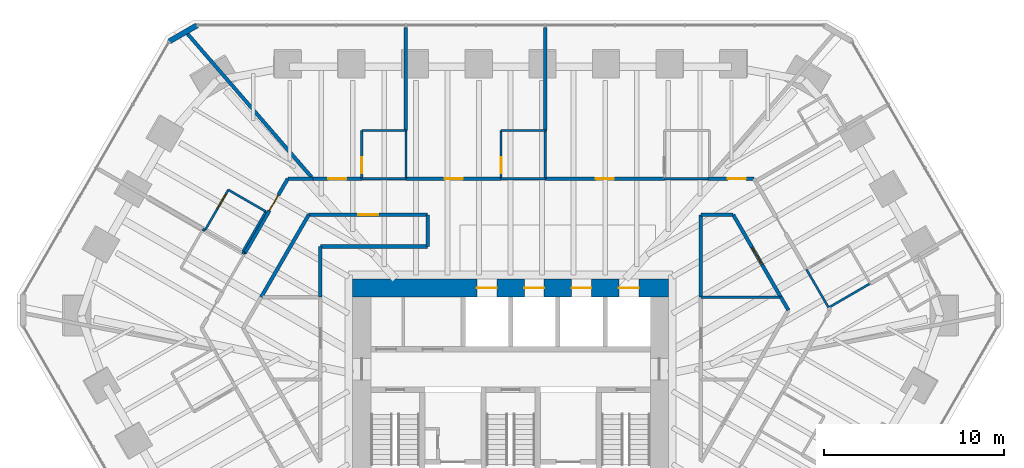
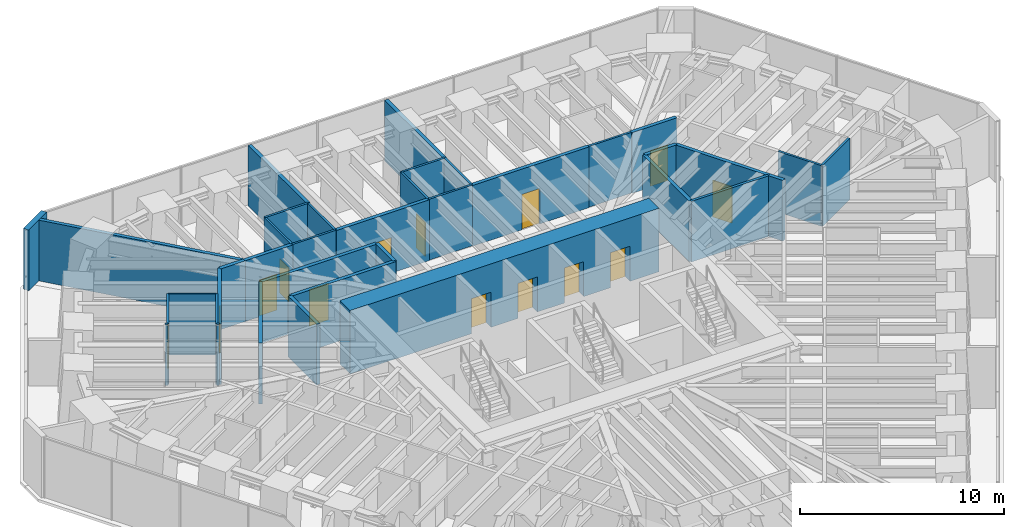
# One storey, part 14 of 16: 37 walls, 14 doors, 14 openings.
"""IFC4 building model written with IfcOpenShell, lengths in metres."""

from ifc_helpers import new_model, si_unit, direction, frame, frame_2d, origin, place, context, subcontext, project, spatial, rectangle, extrude, material, layer, layer_set, type_object, element, fill, save


model = new_model("IFC4")

# Units and contexts
model_context = context("Model", 3, precision=1e-05, world=origin(), true_north=direction((0.0, 1.0)))
body_context = subcontext(model_context, "Body", "Model", "MODEL_VIEW")
ifc_project = project(units=[si_unit("LENGTHUNIT", "METRE"), si_unit("AREAUNIT", "SQUARE_METRE"), si_unit("VOLUMEUNIT", "CUBIC_METRE"), si_unit("PLANEANGLEUNIT", "RADIAN"), si_unit("MASSUNIT", "GRAM", prefix="KILO")], contexts=[model_context])

# Site, building, storey
site_placement = place(None, origin())
site = spatial("IfcSite", under=ifc_project, at=site_placement, CompositionType="ELEMENT")
building_placement = place(site_placement, origin())
building = spatial("IfcBuilding", under=site, at=building_placement, Name="Sandreach Pilgrim Tower", CompositionType="ELEMENT")
storey_placement = place(building_placement, frame((0.0, 0.0, 247.800048828125)))
storey = spatial("IfcBuildingStorey", under=building, at=storey_placement, Name="L62", CompositionType="ELEMENT", Elevation=247.800048828125)

# Walls
ifc_material_1 = material(Name="Gypsum board on steel studs", Category="steel")
ifc_layer_1 = layer(ifc_material_1, 0.14990234375)
ifc_layer_set_1 = layer_set([ifc_layer_1], Name="Back of house wall 150")
wall_type_1 = type_object("IfcWallType", Name="Back of house wall 150", PredefinedType="PARTITIONING", material=ifc_layer_set_1)
wall_1_placement = place(storey_placement, frame((14.93505859375, 6.090087890625, 0.0), z_axis=(0.0, 0.0, 1.0), x_axis=(-1.0, 0.0, 0.0)))
element("IfcWall", 1, at=wall_1_placement, inside=storey, type_object=wall_type_1, Name="Back of house wall L62-119", PredefinedType="PARTITIONING", context=body_context, shape_type="SweptSolid", body=[
    extrude(rectangle(XDim=4.385009765625, YDim=0.14990234375, at=frame_2d((2.1923828125, 0.0))), origin(), (0.0, 0.0, 1.0), 3.639892578125),
])
ifc_material_2 = material(Name="Moisture-resistant gypsum board on steel studs", Category="steel")
ifc_layer_2 = layer(ifc_material_2, 0.1201171875)
ifc_layer_set_2 = layer_set([ifc_layer_2], Name="Bathroom partition 120")
wall_type_2 = type_object("IfcWallType", Name="Bathroom partition 120", PredefinedType="PARTITIONING", material=ifc_layer_set_2)
wall_2_placement = place(storey_placement, frame((-17.06005859375, 9.85009765625, 0.0), z_axis=(0.0, 0.0, 1.0), x_axis=(0.864625231999, -0.50241736454, 0.0)))
element("IfcWall", 2, at=wall_2_placement, inside=storey, type_object=wall_type_2, Name="Bathroom partition L62-010", PredefinedType="PARTITIONING", context=body_context, shape_type="SweptSolid", body=[
    extrude(rectangle(XDim=0.12548828125, YDim=0.1201171875, at=frame_2d((0.062744140625, 0.0))), origin(), (0.0, 0.0, 1.0), 3.639892578125),
])

# Wall, opening, door
wall_3_placement = place(storey_placement, frame((-15.64990234375, 12.0400390625, 0.0), z_axis=(0.0, 0.0, 1.0), x_axis=(-0.500291685314, -0.865856933682, 0.0)))
wall_3 = element("IfcWall", 3, at=wall_3_placement, inside=storey, type_object=wall_type_2, Name="Bathroom partition L62-014", PredefinedType="PARTITIONING", context=body_context, shape_type="SweptSolid", body=[
    extrude(rectangle(XDim=2.5986328125, YDim=0.1201171875, at=frame_2d((1.29931640625, 0.0))), origin(), (0.0, 0.0, 1.0), 3.639892578125),
])
opening_1_placement = place(wall_3_placement, frame((0.300048828125, 0.0, 0.0)))
opening_1 = element("IfcOpeningElement", 4, at=opening_1_placement, cuts=wall_3, Name="Opening D09-17B", PredefinedType="OPENING", context=body_context, shape_type="SweptSolid", body=[
    extrude(rectangle(XDim=0.89990234375, YDim=2.030029296875, at=frame_2d((0.449951171875, 1.01513671875))), frame((0.0, 0.06005859375, 0.0), z_axis=(0.0, -1.0, 0.0), x_axis=(1.0, 0.0, 0.0)), (0.0, 0.0, 1.0), 0.1201171875),
])
ifc_material_3 = material(Name="Timber door, steel frame", Category="steel")
door_type_1 = type_object("IfcDoorType", Name="Bathroom door", OperationType="SINGLE_SWING_LEFT", PredefinedType="DOOR", material=ifc_material_3)
door_1_placement = place(opening_1_placement, origin())
door_1 = element("IfcDoor", 5, at=door_1_placement, inside=storey, type_object=door_type_1, Name="Door 6217B", OperationType="SINGLE_SWING_LEFT", OverallHeight=2.030029296875, OverallWidth=0.89990234375, PredefinedType="DOOR", context=body_context, shape_type="SweptSolid", body=[
    extrude(rectangle(XDim=0.89990234375, YDim=2.030029296875, at=frame_2d((0.449951171875, 1.01513671875))), frame((0.0, 0.02490234375, 0.0), z_axis=(0.0, -1.0, 0.0), x_axis=(1.0, 0.0, 0.0)), (0.0, 0.0, 1.0), 0.050048828125),
])
fill(opening_1, door_1)

# Walls
wall_4_placement = place(storey_placement, frame((-14.87451171875, 8.582275390625, 0.0), z_axis=(0.0, 0.0, 1.0), x_axis=(0.864883951565, -0.501971862085, 0.0)))
element("IfcWall", 6, at=wall_4_placement, inside=storey, type_object=wall_type_2, Name="Bathroom partition L62-017", PredefinedType="PARTITIONING", context=body_context, shape_type="SweptSolid", body=[
    extrude(rectangle(XDim=0.14404296875, YDim=0.1201171875, at=frame_2d((0.072021484375, 0.0))), origin(), (0.0, 0.0, 1.0), 3.639892578125),
])
wall_5_placement = place(storey_placement, frame((-14.8701171875, 8.590087890625, 0.0), z_axis=(0.0, 0.0, 1.0), x_axis=(0.500291685314, 0.865856933682, 0.0)))
element("IfcWall", 7, at=wall_5_placement, inside=storey, type_object=wall_type_2, Name="Bathroom partition L62-018", PredefinedType="PARTITIONING", context=body_context, shape_type="SweptSolid", body=[
    extrude(rectangle(XDim=2.5986328125, YDim=0.1201171875, at=frame_2d((1.29931640625, 0.0))), origin(), (0.0, 0.0, 1.0), 3.639892578125),
])
wall_6_placement = place(storey_placement, frame((-13.570068359375, 10.840087890625, 0.0), z_axis=(0.0, 0.0, 1.0), x_axis=(-0.866177122335, 0.499737123639, 0.0)))
element("IfcWall", 8, at=wall_6_placement, inside=storey, type_object=wall_type_2, Name="Bathroom partition L62-026", PredefinedType="PARTITIONING", context=body_context, shape_type="SweptSolid", body=[
    extrude(rectangle(XDim=2.401123046875, YDim=0.1201171875, at=frame_2d((1.20068359375, 0.0))), origin(), (0.0, 0.0, 1.0), 3.639892578125),
])

# Wall, opening, door
wall_7_placement = place(storey_placement, frame((-8.25, 15.330078125, 0.0), z_axis=(0.0, 0.0, 1.0), x_axis=(0.0, -1.0, 0.0)))
wall_7 = element("IfcWall", 9, at=wall_7_placement, inside=storey, type_object=wall_type_2, Name="Bathroom partition L62-044", PredefinedType="PARTITIONING", context=body_context, shape_type="SweptSolid", body=[
    extrude(rectangle(XDim=2.670166015625, YDim=0.1201171875, at=frame_2d((1.3349609375, 0.0))), origin(), (0.0, 0.0, 1.0), 3.639892578125),
])
opening_2_placement = place(wall_7_placement, frame((1.469970703125, 0.0, 0.0)))
opening_2 = element("IfcOpeningElement", 10, at=opening_2_placement, cuts=wall_7, Name="Opening D09-01B", PredefinedType="OPENING", context=body_context, shape_type="SweptSolid", body=[
    extrude(rectangle(XDim=0.89990234375, YDim=2.030029296875, at=frame_2d((0.449951171875, 1.01513671875))), frame((0.0, 0.06005859375, 0.0), z_axis=(0.0, -1.0, 0.0), x_axis=(1.0, 0.0, 0.0)), (0.0, 0.0, 1.0), 0.1201171875),
])
door_2_placement = place(opening_2_placement, origin())
door_2 = element("IfcDoor", 11, at=door_2_placement, inside=storey, type_object=door_type_1, Name="Door 6201B", OperationType="SINGLE_SWING_RIGHT", OverallHeight=2.030029296875, OverallWidth=0.89990234375, PredefinedType="DOOR", context=body_context, shape_type="SweptSolid", body=[
    extrude(rectangle(XDim=0.89990234375, YDim=2.030029296875, at=frame_2d((0.449951171875, 1.01513671875))), frame((0.0, 0.02490234375, 0.0), z_axis=(0.0, -1.0, 0.0), x_axis=(1.0, 0.0, 0.0)), (0.0, 0.0, 1.0), 0.050048828125),
])
fill(opening_2, door_2)

# Walls
for number, where, z_axis, x_axis, name in (
    (12, (-5.800048828125, 12.659912109375, 0.0), (0.0, 0.0, 1.0), (-1.0, 0.0, 0.0), "Bathroom partition L62-049"),
    (13, (-5.800048828125, 15.330078125, 0.0), (0.0, 0.0, 1.0), (-1.0, 0.0, 0.0), "Bathroom partition L62-050"),
):
    element("IfcWall", number, at=place(storey_placement, frame(where, z_axis=z_axis, x_axis=x_axis)), inside=storey, type_object=wall_type_2, Name=name, PredefinedType="PARTITIONING", context=body_context, shape_type="SweptSolid", body=[
        extrude(rectangle(XDim=2.449951171875, YDim=0.1201171875, at=frame_2d((1.22509765625, 0.0))), origin(), (0.0, 0.0, 1.0), 3.639892578125),
    ])
wall_8_placement = place(storey_placement, frame((-5.800048828125, 15.330078125, 0.0), z_axis=(0.0, 0.0, 1.0), x_axis=(0.0, -1.0, 0.0)))
element("IfcWall", 14, at=wall_8_placement, inside=storey, type_object=wall_type_2, Name="Bathroom partition L62-051", PredefinedType="PARTITIONING", context=body_context, shape_type="SweptSolid", body=[
    extrude(rectangle(XDim=2.670166015625, YDim=0.1201171875, at=frame_2d((1.3349609375, 0.0))), origin(), (0.0, 0.0, 1.0), 3.639892578125),
])

# Wall, opening, door
wall_9_placement = place(storey_placement, frame((-0.52001953125, 15.330078125, 0.0), z_axis=(0.0, 0.0, 1.0), x_axis=(0.0, -1.0, 0.0)))
wall_9 = element("IfcWall", 15, at=wall_9_placement, inside=storey, type_object=wall_type_2, Name="Bathroom partition L62-072", PredefinedType="PARTITIONING", context=body_context, shape_type="SweptSolid", body=[
    extrude(rectangle(XDim=2.670166015625, YDim=0.1201171875, at=frame_2d((1.3349609375, 0.0))), origin(), (0.0, 0.0, 1.0), 3.639892578125),
])
opening_3_placement = place(wall_9_placement, frame((1.469970703125, 0.0, 0.0)))
opening_3 = element("IfcOpeningElement", 16, at=opening_3_placement, cuts=wall_9, Name="Opening D09-02B", PredefinedType="OPENING", context=body_context, shape_type="SweptSolid", body=[
    extrude(rectangle(XDim=0.89990234375, YDim=2.030029296875, at=frame_2d((0.449951171875, 1.01513671875))), frame((0.0, 0.06005859375, 0.0), z_axis=(0.0, -1.0, 0.0), x_axis=(1.0, 0.0, 0.0)), (0.0, 0.0, 1.0), 0.1201171875),
])
door_3_placement = place(opening_3_placement, origin())
door_3 = element("IfcDoor", 17, at=door_3_placement, inside=storey, type_object=door_type_1, Name="Door 6202B", OperationType="SINGLE_SWING_RIGHT", OverallHeight=2.030029296875, OverallWidth=0.89990234375, PredefinedType="DOOR", context=body_context, shape_type="SweptSolid", body=[
    extrude(rectangle(XDim=0.89990234375, YDim=2.030029296875, at=frame_2d((0.449951171875, 1.01513671875))), frame((0.0, 0.02490234375, 0.0), z_axis=(0.0, -1.0, 0.0), x_axis=(1.0, 0.0, 0.0)), (0.0, 0.0, 1.0), 0.050048828125),
])
fill(opening_3, door_3)

# Walls
for number, where, z_axis, x_axis, name in (
    (18, (1.929931640625, 12.659912109375, 0.0), (0.0, 0.0, 1.0), (-1.0, 0.0, 0.0), "Bathroom partition L62-075"),
    (19, (1.929931640625, 15.330078125, 0.0), (0.0, 0.0, 1.0), (-1.0, 0.0, 0.0), "Bathroom partition L62-076"),
):
    element("IfcWall", number, at=place(storey_placement, frame(where, z_axis=z_axis, x_axis=x_axis)), inside=storey, type_object=wall_type_2, Name=name, PredefinedType="PARTITIONING", context=body_context, shape_type="SweptSolid", body=[
        extrude(rectangle(XDim=2.449951171875, YDim=0.1201171875, at=frame_2d((1.22509765625, 0.0))), origin(), (0.0, 0.0, 1.0), 3.639892578125),
    ])
wall_10_placement = place(storey_placement, frame((1.929931640625, 15.330078125, 0.0), z_axis=(0.0, 0.0, 1.0), x_axis=(0.0, -1.0, 0.0)))
element("IfcWall", 20, at=wall_10_placement, inside=storey, type_object=wall_type_2, Name="Bathroom partition L62-077", PredefinedType="PARTITIONING", context=body_context, shape_type="SweptSolid", body=[
    extrude(rectangle(XDim=2.670166015625, YDim=0.1201171875, at=frame_2d((1.3349609375, 0.0))), origin(), (0.0, 0.0, 1.0), 3.639892578125),
])
wall_11_placement = place(storey_placement, frame((10.9599609375, 12.659912109375, 0.0), z_axis=(0.0, 0.0, 1.0), x_axis=(-1.0, 0.0, 0.0)))
element("IfcWall", 21, at=wall_11_placement, inside=storey, type_object=wall_type_2, Name="Bathroom partition L62-104", PredefinedType="PARTITIONING", context=body_context, shape_type="SweptSolid", body=[
    extrude(rectangle(XDim=2.429931640625, YDim=0.1201171875, at=frame_2d((1.21484375, 0.0))), origin(), (0.0, 0.0, 1.0), 3.639892578125),
])
wall_12_placement = place(storey_placement, frame((16.409912109375, 7.6298828125, 0.0), z_axis=(0.0, 0.0, 1.0), x_axis=(0.501856726365, -0.86495076519, 0.0)))
element("IfcWall", 22, at=wall_12_placement, inside=storey, type_object=wall_type_2, Name="Bathroom partition L62-127", PredefinedType="PARTITIONING", context=body_context, shape_type="SweptSolid", body=[
    extrude(rectangle(XDim=2.450927734375, YDim=0.1201171875, at=frame_2d((1.2255859375, 0.0))), origin(), (0.0, 0.0, 1.0), 3.639892578125),
])
wall_13_placement = place(storey_placement, frame((17.639892578125, 5.510009765625, 0.0), z_axis=(0.0, 0.0, 1.0), x_axis=(0.86498992408, 0.501789229896, 0.0)))
element("IfcWall", 23, at=wall_13_placement, inside=storey, type_object=wall_type_2, Name="Bathroom partition L62-132", PredefinedType="PARTITIONING", context=body_context, shape_type="SweptSolid", body=[
    extrude(rectangle(XDim=2.670654296875, YDim=0.1201171875, at=frame_2d((1.33544921875, 0.0))), origin(), (0.0, 0.0, 1.0), 3.639892578125),
])

# Wall, openings, doors
ifc_material_4 = material(Name="Concrete 10000 psi", Category="concrete")
ifc_layer_3 = layer(ifc_material_4, 1.0)
ifc_layer_set_3 = layer_set([ifc_layer_3], Name="Core wall 1000")
wall_type_3 = type_object("IfcWallType", Name="Core wall 1000", PredefinedType="SHEAR", material=ifc_layer_set_3)
wall_14_placement = place(storey_placement, frame((-8.75, 6.60009765625, 0.0), z_axis=(0.0, 0.0, 1.0), x_axis=(1.0, 0.0, 0.0)))
wall_14 = element("IfcWall", 24, at=wall_14_placement, inside=storey, type_object=wall_type_3, Name="Core wall N L62", PredefinedType="SHEAR", context=body_context, shape_type="SweptSolid", body=[
    extrude(rectangle(XDim=17.5, YDim=1.0, at=frame_2d((8.75, 0.0))), origin(), (0.0, 0.0, 1.0), 3.800048828125),
])
opening_4_placement = place(wall_14_placement, frame((6.887451171875, 0.0, 0.0)))
opening_4 = element("IfcOpeningElement", 25, at=opening_4_placement, cuts=wall_14, Name="Opening LD11", PredefinedType="OPENING", context=body_context, shape_type="SweptSolid", body=[
    extrude(rectangle(XDim=1.10009765625, YDim=2.10009765625, at=frame_2d((0.550048828125, 1.050048828125))), frame((0.0, 0.5, 0.0), z_axis=(0.0, -1.0, 0.0), x_axis=(1.0, 0.0, 0.0)), (0.0, 0.0, 1.0), 1.0),
])
opening_5_placement = place(wall_14_placement, frame((9.512451171875, 0.0, 0.0)))
opening_5 = element("IfcOpeningElement", 26, at=opening_5_placement, cuts=wall_14, Name="Opening LD11", PredefinedType="OPENING", context=body_context, shape_type="SweptSolid", body=[
    extrude(rectangle(XDim=1.10009765625, YDim=2.10009765625, at=frame_2d((0.550048828125, 1.050048828125))), frame((0.0, 0.5, 0.0), z_axis=(0.0, -1.0, 0.0), x_axis=(1.0, 0.0, 0.0)), (0.0, 0.0, 1.0), 1.0),
])
opening_6_placement = place(wall_14_placement, frame((12.137451171875, 0.0, 0.0)))
opening_6 = element("IfcOpeningElement", 27, at=opening_6_placement, cuts=wall_14, Name="Opening LD11", PredefinedType="OPENING", context=body_context, shape_type="SweptSolid", body=[
    extrude(rectangle(XDim=1.10009765625, YDim=2.10009765625, at=frame_2d((0.550048828125, 1.050048828125))), frame((0.0, 0.5, 0.0), z_axis=(0.0, -1.0, 0.0), x_axis=(1.0, 0.0, 0.0)), (0.0, 0.0, 1.0), 1.0),
])
opening_7_placement = place(wall_14_placement, frame((14.762451171875, 0.0, 0.0)))
opening_7 = element("IfcOpeningElement", 28, at=opening_7_placement, cuts=wall_14, Name="Opening LD11", PredefinedType="OPENING", context=body_context, shape_type="SweptSolid", body=[
    extrude(rectangle(XDim=1.10009765625, YDim=2.10009765625, at=frame_2d((0.550048828125, 1.050048828125))), frame((0.0, 0.5, 0.0), z_axis=(0.0, -1.0, 0.0), x_axis=(1.0, 0.0, 0.0)), (0.0, 0.0, 1.0), 1.0),
])
ifc_material_5 = material(Name="Steel door and frame", Category="steel")
door_type_2 = type_object("IfcDoorType", Name="Lift landing door", OperationType="DOUBLE_DOOR_SLIDING", PredefinedType="DOOR", material=ifc_material_5)
door_4_placement = place(opening_4_placement, origin())
door_4 = element("IfcDoor", 29, at=door_4_placement, inside=storey, type_object=door_type_2, Name="Lift landing door Z3A L62", OperationType="DOUBLE_DOOR_SLIDING", OverallHeight=2.10009765625, OverallWidth=1.10009765625, PredefinedType="DOOR", context=body_context, shape_type="SweptSolid", body=[
    extrude(rectangle(XDim=1.10009765625, YDim=2.10009765625, at=frame_2d((0.550048828125, 1.050048828125))), frame((0.0, 0.02490234375, 0.0), z_axis=(0.0, -1.0, 0.0), x_axis=(1.0, 0.0, 0.0)), (0.0, 0.0, 1.0), 0.050048828125),
])
fill(opening_4, door_4)
door_5_placement = place(opening_5_placement, origin())
door_5 = element("IfcDoor", 30, at=door_5_placement, inside=storey, type_object=door_type_2, Name="Lift landing door Z3B L62", OperationType="DOUBLE_DOOR_SLIDING", OverallHeight=2.10009765625, OverallWidth=1.10009765625, PredefinedType="DOOR", context=body_context, shape_type="SweptSolid", body=[
    extrude(rectangle(XDim=1.10009765625, YDim=2.10009765625, at=frame_2d((0.550048828125, 1.050048828125))), frame((0.0, 0.02490234375, 0.0), z_axis=(0.0, -1.0, 0.0), x_axis=(1.0, 0.0, 0.0)), (0.0, 0.0, 1.0), 0.050048828125),
])
fill(opening_5, door_5)
door_6_placement = place(opening_6_placement, origin())
door_6 = element("IfcDoor", 31, at=door_6_placement, inside=storey, type_object=door_type_2, Name="Lift landing door Z3C L62", OperationType="DOUBLE_DOOR_SLIDING", OverallHeight=2.10009765625, OverallWidth=1.10009765625, PredefinedType="DOOR", context=body_context, shape_type="SweptSolid", body=[
    extrude(rectangle(XDim=1.10009765625, YDim=2.10009765625, at=frame_2d((0.550048828125, 1.050048828125))), frame((0.0, 0.02490234375, 0.0), z_axis=(0.0, -1.0, 0.0), x_axis=(1.0, 0.0, 0.0)), (0.0, 0.0, 1.0), 0.050048828125),
])
fill(opening_6, door_6)
door_7_placement = place(opening_7_placement, origin())
door_7 = element("IfcDoor", 32, at=door_7_placement, inside=storey, type_object=door_type_2, Name="Lift landing door Z3D L62", OperationType="DOUBLE_DOOR_SLIDING", OverallHeight=2.10009765625, OverallWidth=1.10009765625, PredefinedType="DOOR", context=body_context, shape_type="SweptSolid", body=[
    extrude(rectangle(XDim=1.10009765625, YDim=2.10009765625, at=frame_2d((0.550048828125, 1.050048828125))), frame((0.0, 0.02490234375, 0.0), z_axis=(0.0, -1.0, 0.0), x_axis=(1.0, 0.0, 0.0)), (0.0, 0.0, 1.0), 0.050048828125),
])
fill(opening_7, door_7)

# Wall, opening, door
ifc_material_6 = material(Name="Gypsum board on steel studs, two layers each side", Category="steel")
ifc_layer_4 = layer(ifc_material_6, 0.199951171875)
ifc_layer_set_4 = layer_set([ifc_layer_4], Name="Corridor wall 200")
wall_type_4 = type_object("IfcWallType", Name="Corridor wall 200", PredefinedType="PARTITIONING", material=ifc_layer_set_4)
wall_15_placement = place(storey_placement, frame((-14.75, 8.510009765625, 0.0), z_axis=(0.0, 0.0, 1.0), x_axis=(0.500618647881, 0.86566793252, 0.0)))
wall_15 = element("IfcWall", 33, at=wall_15_placement, inside=storey, type_object=wall_type_4, Name="Corridor wall L62-020", PredefinedType="PARTITIONING", context=body_context, shape_type="SweptSolid", body=[
    extrude(rectangle(XDim=4.7939453125, YDim=0.199951171875, at=frame_2d((2.39697265625, 0.0))), origin(), (0.0, 0.0, 1.0), 3.639892578125),
])
opening_8_placement = place(wall_15_placement, frame((2.75, 0.0, 0.0)))
opening_8 = element("IfcOpeningElement", 34, at=opening_8_placement, cuts=wall_15, Name="Opening D10-17", PredefinedType="OPENING", context=body_context, shape_type="SweptSolid", body=[
    extrude(rectangle(XDim=1.0, YDim=2.1298828125, at=frame_2d((0.5, 1.06494140625))), frame((0.0, 0.10009765625, 0.0), z_axis=(0.0, -1.0, 0.0), x_axis=(1.0, 0.0, 0.0)), (0.0, 0.0, 1.0), 0.199951171875),
])
ifc_material_7 = material(Name="Steel door and frame", Category="steel")
door_type_3 = type_object("IfcDoorType", Name="Guest room entry door", OperationType="SINGLE_SWING_LEFT", PredefinedType="DOOR", material=ifc_material_7)
door_8_placement = place(opening_8_placement, origin())
door_8 = element("IfcDoor", 35, at=door_8_placement, inside=storey, type_object=door_type_3, Name="Door 6217", OperationType="SINGLE_SWING_RIGHT", OverallHeight=2.1298828125, OverallWidth=1.0, PredefinedType="DOOR", context=body_context, shape_type="SweptSolid", body=[
    extrude(rectangle(XDim=1.0, YDim=2.1298828125, at=frame_2d((0.5, 1.06494140625))), frame((0.0, 0.02490234375, 0.0), z_axis=(0.0, -1.0, 0.0), x_axis=(1.0, 0.0, 0.0)), (0.0, 0.0, 1.0), 0.050048828125),
])
fill(opening_8, door_8)

# Wall
wall_16_placement = place(storey_placement, frame((-13.830078125, 6.090087890625, 0.0), z_axis=(0.0, 0.0, 1.0), x_axis=(0.500248310865, 0.865881993967, 0.0)))
element("IfcWall", 36, at=wall_16_placement, inside=storey, type_object=wall_type_4, Name="Corridor wall L62-024", PredefinedType="PARTITIONING", context=body_context, shape_type="SweptSolid", body=[
    extrude(rectangle(XDim=5.277587890625, YDim=0.199951171875, at=frame_2d((2.638671875, 0.0))), origin(), (0.0, 0.0, 1.0), 3.639892578125),
])

# Wall, opening, door
wall_17_placement = place(storey_placement, frame((-11.18994140625, 10.659912109375, 0.0), z_axis=(0.0, 0.0, 1.0), x_axis=(1.0, 0.0, 0.0)))
wall_17 = element("IfcWall", 37, at=wall_17_placement, inside=storey, type_object=wall_type_4, Name="Corridor wall L62-030", PredefinedType="PARTITIONING", context=body_context, shape_type="SweptSolid", body=[
    extrude(rectangle(XDim=6.58984375, YDim=0.199951171875, at=frame_2d((3.294921875, 0.0))), origin(), (0.0, 0.0, 1.0), 3.639892578125),
])
opening_9_placement = place(wall_17_placement, frame((2.7451171875, 0.0, 0.0)))
opening_9 = element("IfcOpeningElement", 38, at=opening_9_placement, cuts=wall_17, Name="Opening D11H-M03", PredefinedType="OPENING", context=body_context, shape_type="SweptSolid", body=[
    extrude(rectangle(XDim=1.10009765625, YDim=2.199951171875, at=frame_2d((0.550048828125, 1.10009765625))), frame((0.0, 0.10009765625, 0.0), z_axis=(0.0, -1.0, 0.0), x_axis=(1.0, 0.0, 0.0)), (0.0, 0.0, 1.0), 0.199951171875),
])
ifc_material_8 = material(Name="Steel door and frame", Category="steel")
door_type_4 = type_object("IfcDoorType", Name="Back of house door", OperationType="SINGLE_SWING_LEFT", PredefinedType="DOOR", material=ifc_material_8)
door_9_placement = place(opening_9_placement, origin())
door_9 = element("IfcDoor", 39, at=door_9_placement, inside=storey, type_object=door_type_4, Name="Door 62M03", OperationType="SINGLE_SWING_LEFT", OverallHeight=2.199951171875, OverallWidth=1.10009765625, PredefinedType="DOOR", context=body_context, shape_type="SweptSolid", body=[
    extrude(rectangle(XDim=1.10009765625, YDim=2.199951171875, at=frame_2d((0.550048828125, 1.10009765625))), frame((0.0, 0.02490234375, 0.0), z_axis=(0.0, -1.0, 0.0), x_axis=(1.0, 0.0, 0.0)), (0.0, 0.0, 1.0), 0.050048828125),
])
fill(opening_9, door_9)

# Walls
wall_18_placement = place(storey_placement, frame((-10.9599609375, 12.659912109375, 0.0), z_axis=(0.0, 0.0, 1.0), x_axis=(-1.0, 0.0, 0.0)))
element("IfcWall", 40, at=wall_18_placement, inside=storey, type_object=wall_type_4, Name="Corridor wall L62-032", PredefinedType="PARTITIONING", context=body_context, shape_type="SweptSolid", body=[
    extrude(rectangle(XDim=1.39013671875, YDim=0.199951171875, at=frame_2d((0.695068359375, 0.0))), origin(), (0.0, 0.0, 1.0), 3.639892578125),
])
wall_19_placement = place(storey_placement, frame((-10.550048828125, 8.889892578125, 0.0), z_axis=(0.0, 0.0, 1.0), x_axis=(0.0, -1.0, 0.0)))
element("IfcWall", 41, at=wall_19_placement, inside=storey, type_object=wall_type_4, Name="Corridor wall L62-038", PredefinedType="PARTITIONING", context=body_context, shape_type="SweptSolid", body=[
    extrude(rectangle(XDim=2.7998046875, YDim=0.199951171875, at=frame_2d((1.39990234375, 0.0))), origin(), (0.0, 0.0, 1.0), 3.639892578125),
])

# Wall, opening, door
wall_20_placement = place(storey_placement, frame((-8.25, 12.659912109375, 0.0), z_axis=(0.0, 0.0, 1.0), x_axis=(-1.0, 0.0, 0.0)))
wall_20 = element("IfcWall", 42, at=wall_20_placement, inside=storey, type_object=wall_type_4, Name="Corridor wall L62-043", PredefinedType="PARTITIONING", context=body_context, shape_type="SweptSolid", body=[
    extrude(rectangle(XDim=2.7099609375, YDim=0.199951171875, at=frame_2d((1.35498046875, 0.0))), origin(), (0.0, 0.0, 1.0), 3.639892578125),
])
opening_10_placement = place(wall_20_placement, frame((0.85498046875, 0.0, 0.0)))
opening_10 = element("IfcOpeningElement", 43, at=opening_10_placement, cuts=wall_20, Name="Opening D10-01", PredefinedType="OPENING", context=body_context, shape_type="SweptSolid", body=[
    extrude(rectangle(XDim=1.0, YDim=2.1298828125, at=frame_2d((0.5, 1.06494140625))), frame((0.0, 0.10009765625, 0.0), z_axis=(0.0, -1.0, 0.0), x_axis=(1.0, 0.0, 0.0)), (0.0, 0.0, 1.0), 0.199951171875),
])
door_10_placement = place(opening_10_placement, origin())
door_10 = element("IfcDoor", 44, at=door_10_placement, inside=storey, type_object=door_type_3, Name="Door 6201", OperationType="SINGLE_SWING_LEFT", OverallHeight=2.1298828125, OverallWidth=1.0, PredefinedType="DOOR", context=body_context, shape_type="SweptSolid", body=[
    extrude(rectangle(XDim=1.0, YDim=2.1298828125, at=frame_2d((0.5, 1.06494140625))), frame((0.0, 0.02490234375, 0.0), z_axis=(0.0, -1.0, 0.0), x_axis=(1.0, 0.0, 0.0)), (0.0, 0.0, 1.0), 0.050048828125),
])
fill(opening_10, door_10)

# Walls
wall_21_placement = place(storey_placement, frame((-4.60009765625, 8.89990234375, 0.0), z_axis=(0.0, 0.0, 1.0), x_axis=(-1.0, 0.0, 0.0)))
element("IfcWall", 45, at=wall_21_placement, inside=storey, type_object=wall_type_4, Name="Corridor wall L62-054", PredefinedType="PARTITIONING", context=body_context, shape_type="SweptSolid", body=[
    extrude(rectangle(XDim=5.949951171875, YDim=0.199951171875, at=frame_2d((2.97509765625, 0.0))), origin(), (0.0, 0.0, 1.0), 3.639892578125),
])
wall_22_placement = place(storey_placement, frame((-4.60009765625, 10.64990234375, 0.0), z_axis=(0.0, 0.0, 1.0), x_axis=(0.0, -1.0, 0.0)))
element("IfcWall", 46, at=wall_22_placement, inside=storey, type_object=wall_type_4, Name="Corridor wall L62-055", PredefinedType="PARTITIONING", context=body_context, shape_type="SweptSolid", body=[
    extrude(rectangle(XDim=1.739990234375, YDim=0.199951171875, at=frame_2d((0.8701171875, 0.0))), origin(), (0.0, 0.0, 1.0), 3.639892578125),
])

# Wall, opening, door
wall_23_placement = place(storey_placement, frame((-0.52001953125, 12.659912109375, 0.0), z_axis=(0.0, 0.0, 1.0), x_axis=(-1.0, 0.0, 0.0)))
wall_23 = element("IfcWall", 47, at=wall_23_placement, inside=storey, type_object=wall_type_4, Name="Corridor wall L62-071", PredefinedType="PARTITIONING", context=body_context, shape_type="SweptSolid", body=[
    extrude(rectangle(XDim=5.280029296875, YDim=0.199951171875, at=frame_2d((2.64013671875, 0.0))), origin(), (0.0, 0.0, 1.0), 3.639892578125),
])
opening_11_placement = place(wall_23_placement, frame((2.139892578125, 0.0, 0.0)))
opening_11 = element("IfcOpeningElement", 48, at=opening_11_placement, cuts=wall_23, Name="Opening D10-02", PredefinedType="OPENING", context=body_context, shape_type="SweptSolid", body=[
    extrude(rectangle(XDim=1.0, YDim=2.1298828125, at=frame_2d((0.5, 1.06494140625))), frame((0.0, 0.10009765625, 0.0), z_axis=(0.0, -1.0, 0.0), x_axis=(1.0, 0.0, 0.0)), (0.0, 0.0, 1.0), 0.199951171875),
])
door_11_placement = place(opening_11_placement, origin())
door_11 = element("IfcDoor", 49, at=door_11_placement, inside=storey, type_object=door_type_3, Name="Door 6202", OperationType="SINGLE_SWING_LEFT", OverallHeight=2.1298828125, OverallWidth=1.0, PredefinedType="DOOR", context=body_context, shape_type="SweptSolid", body=[
    extrude(rectangle(XDim=1.0, YDim=2.1298828125, at=frame_2d((0.5, 1.06494140625))), frame((0.0, 0.02490234375, 0.0), z_axis=(0.0, -1.0, 0.0), x_axis=(1.0, 0.0, 0.0)), (0.0, 0.0, 1.0), 0.050048828125),
])
fill(opening_11, door_11)

wall_24_placement = place(storey_placement, frame((8.530029296875, 12.659912109375, 0.0), z_axis=(0.0, 0.0, 1.0), x_axis=(-1.0, 0.0, 0.0)))
wall_24 = element("IfcWall", 50, at=wall_24_placement, inside=storey, type_object=wall_type_4, Name="Corridor wall L62-094", PredefinedType="PARTITIONING", context=body_context, shape_type="SweptSolid", body=[
    extrude(rectangle(XDim=6.60009765625, YDim=0.199951171875, at=frame_2d((3.300048828125, 0.0))), origin(), (0.0, 0.0, 1.0), 3.639892578125),
])
opening_12_placement = place(wall_24_placement, frame((2.800048828125, 0.0, 0.0)))
opening_12 = element("IfcOpeningElement", 51, at=opening_12_placement, cuts=wall_24, Name="Opening D10-03", PredefinedType="OPENING", context=body_context, shape_type="SweptSolid", body=[
    extrude(rectangle(XDim=1.0, YDim=2.1298828125, at=frame_2d((0.5, 1.06494140625))), frame((0.0, 0.10009765625, 0.0), z_axis=(0.0, -1.0, 0.0), x_axis=(1.0, 0.0, 0.0)), (0.0, 0.0, 1.0), 0.199951171875),
])
door_12_placement = place(opening_12_placement, origin())
door_12 = element("IfcDoor", 52, at=door_12_placement, inside=storey, type_object=door_type_3, Name="Door 6203", OperationType="SINGLE_SWING_LEFT", OverallHeight=2.1298828125, OverallWidth=1.0, PredefinedType="DOOR", context=body_context, shape_type="SweptSolid", body=[
    extrude(rectangle(XDim=1.0, YDim=2.1298828125, at=frame_2d((0.5, 1.06494140625))), frame((0.0, 0.02490234375, 0.0), z_axis=(0.0, -1.0, 0.0), x_axis=(1.0, 0.0, 0.0)), (0.0, 0.0, 1.0), 0.050048828125),
])
fill(opening_12, door_12)

# Walls
wall_25_placement = place(storey_placement, frame((10.550048828125, 6.090087890625, 0.0), z_axis=(0.0, 0.0, 1.0), x_axis=(0.0, 1.0, 0.0)))
element("IfcWall", 53, at=wall_25_placement, inside=storey, type_object=wall_type_4, Name="Corridor wall L62-102", PredefinedType="PARTITIONING", context=body_context, shape_type="SweptSolid", body=[
    extrude(rectangle(XDim=4.56982421875, YDim=0.199951171875, at=frame_2d((2.284912109375, 0.0))), origin(), (0.0, 0.0, 1.0), 3.639892578125),
])
wall_26_placement = place(storey_placement, frame((10.56005859375, 10.659912109375, 0.0), z_axis=(0.0, 0.0, 1.0), x_axis=(1.0, 0.0, 0.0)))
element("IfcWall", 54, at=wall_26_placement, inside=storey, type_object=wall_type_4, Name="Corridor wall L62-103", PredefinedType="PARTITIONING", context=body_context, shape_type="SweptSolid", body=[
    extrude(rectangle(XDim=1.7900390625, YDim=0.199951171875, at=frame_2d((0.89501953125, 0.0))), origin(), (0.0, 0.0, 1.0), 3.639892578125),
])

# Wall, opening, door
wall_27_placement = place(storey_placement, frame((12.35009765625, 10.659912109375, 0.0), z_axis=(0.0, 0.0, 1.0), x_axis=(0.500213626659, -0.86590203124, 0.0)))
wall_27 = element("IfcWall", 55, at=wall_27_placement, inside=storey, type_object=wall_type_4, Name="Corridor wall L62-111", PredefinedType="PARTITIONING", context=body_context, shape_type="SweptSolid", body=[
    extrude(rectangle(XDim=5.277587890625, YDim=0.199951171875, at=frame_2d((2.638671875, 0.0))), origin(), (0.0, 0.0, 1.0), 3.639892578125),
])
opening_13_placement = place(wall_27_placement, frame((2.0888671875, 0.0, 0.0)))
opening_13 = element("IfcOpeningElement", 56, at=opening_13_placement, cuts=wall_27, Name="Opening D11H-M05", PredefinedType="OPENING", context=body_context, shape_type="SweptSolid", body=[
    extrude(rectangle(XDim=1.10009765625, YDim=2.199951171875, at=frame_2d((0.550048828125, 1.10009765625))), frame((0.0, 0.10009765625, 0.0), z_axis=(0.0, -1.0, 0.0), x_axis=(1.0, 0.0, 0.0)), (0.0, 0.0, 1.0), 0.199951171875),
])
door_13_placement = place(opening_13_placement, origin())
door_13 = element("IfcDoor", 57, at=door_13_placement, inside=storey, type_object=door_type_4, Name="Door 62M05", OperationType="SINGLE_SWING_LEFT", OverallHeight=2.199951171875, OverallWidth=1.10009765625, PredefinedType="DOOR", context=body_context, shape_type="SweptSolid", body=[
    extrude(rectangle(XDim=1.10009765625, YDim=2.199951171875, at=frame_2d((0.550048828125, 1.10009765625))), frame((0.0, 0.02490234375, 0.0), z_axis=(0.0, -1.0, 0.0), x_axis=(1.0, 0.0, 0.0)), (0.0, 0.0, 1.0), 0.050048828125),
])
fill(opening_13, door_13)

wall_28_placement = place(storey_placement, frame((13.5, 12.659912109375, 0.0), z_axis=(0.0, 0.0, 1.0), x_axis=(-1.0, 0.0, 0.0)))
wall_28 = element("IfcWall", 58, at=wall_28_placement, inside=storey, type_object=wall_type_4, Name="Corridor wall L62-114", PredefinedType="PARTITIONING", context=body_context, shape_type="SweptSolid", body=[
    extrude(rectangle(XDim=2.5400390625, YDim=0.199951171875, at=frame_2d((1.27001953125, 0.0))), origin(), (0.0, 0.0, 1.0), 3.639892578125),
])
opening_14_placement = place(wall_28_placement, frame((0.449951171875, 0.0, 0.0)))
opening_14 = element("IfcOpeningElement", 59, at=opening_14_placement, cuts=wall_28, Name="Opening D10-04", PredefinedType="OPENING", context=body_context, shape_type="SweptSolid", body=[
    extrude(rectangle(XDim=1.0, YDim=2.1298828125, at=frame_2d((0.5, 1.06494140625))), frame((0.0, 0.10009765625, 0.0), z_axis=(0.0, -1.0, 0.0), x_axis=(1.0, 0.0, 0.0)), (0.0, 0.0, 1.0), 0.199951171875),
])
door_14_placement = place(opening_14_placement, origin())
door_14 = element("IfcDoor", 60, at=door_14_placement, inside=storey, type_object=door_type_3, Name="Door 6204", OperationType="SINGLE_SWING_LEFT", OverallHeight=2.1298828125, OverallWidth=1.0, PredefinedType="DOOR", context=body_context, shape_type="SweptSolid", body=[
    extrude(rectangle(XDim=1.0, YDim=2.1298828125, at=frame_2d((0.5, 1.06494140625))), frame((0.0, 0.02490234375, 0.0), z_axis=(0.0, -1.0, 0.0), x_axis=(1.0, 0.0, 0.0)), (0.0, 0.0, 1.0), 0.050048828125),
])
fill(opening_14, door_14)

# Walls
wall_29_placement = place(storey_placement, frame((14.989990234375, 6.090087890625, 0.0), z_axis=(0.0, 0.0, 1.0), x_axis=(0.503816387241, -0.863810770914, 0.0)))
element("IfcWall", 61, at=wall_29_placement, inside=storey, type_object=wall_type_4, Name="Corridor wall L62-120", PredefinedType="PARTITIONING", context=body_context, shape_type="SweptSolid", body=[
    extrude(rectangle(XDim=0.83349609375, YDim=0.199951171875, at=frame_2d((0.416748046875, 0.0))), origin(), (0.0, 0.0, 1.0), 3.639892578125),
])
ifc_material_9 = material(Name="Double steel stud acoustic wall, gypsum board", Category="steel")
ifc_layer_5 = layer(ifc_material_9, 0.199951171875)
ifc_layer_set_5 = layer_set([ifc_layer_5], Name="Party wall 200")
wall_type_5 = type_object("IfcWallType", Name="Party wall 200", PredefinedType="PARTITIONING", material=ifc_layer_set_5)
wall_30_placement = place(storey_placement, frame((-11.02880859375, 12.739501953125, 0.0), z_axis=(0.0, 0.0, 1.0), x_axis=(-0.654429261747, 0.756123231603, 0.0)))
element("IfcWall", 62, at=wall_30_placement, inside=storey, type_object=wall_type_5, Name="Party wall L62-031", PredefinedType="PARTITIONING", context=body_context, shape_type="SweptSolid", body=[
    extrude(rectangle(XDim=10.683349609375, YDim=0.199951171875, at=frame_2d((5.341796875, 0.0))), origin(), (0.0, 0.0, 1.0), 3.639892578125),
])
for number, where, z_axis, x_axis, name in (
    (63, (-5.800048828125, 21.0400390625, 0.0), (0.0, 0.0, 1.0), (0.0, -1.0, 0.0), "Party wall L62-052"),
    (64, (1.929931640625, 21.0400390625, 0.0), (0.0, 0.0, 1.0), (0.0, -1.0, 0.0), "Party wall L62-078"),
):
    element("IfcWall", number, at=place(storey_placement, frame(where, z_axis=z_axis, x_axis=x_axis)), inside=storey, type_object=wall_type_5, Name=name, PredefinedType="PARTITIONING", context=body_context, shape_type="SweptSolid", body=[
        extrude(rectangle(XDim=5.7099609375, YDim=0.199951171875, at=frame_2d((2.85498046875, 0.0))), origin(), (0.0, 0.0, 1.0), 3.639892578125),
    ])
ifc_material_10 = material(Name="Terracotta rainscreen on concrete", Category="masonry")
ifc_layer_6 = layer(ifc_material_10, 0.300048828125)
ifc_layer_set_6 = layer_set([ifc_layer_6], Name="Terracotta chamfer pier")
wall_type_6 = type_object("IfcWallType", Name="Terracotta chamfer pier", PredefinedType="SOLIDWALL", material=ifc_layer_set_6)
wall_31_placement = place(storey_placement, frame((-18.9228515625, 20.275146484375, 0.0), z_axis=(0.0, 0.0, 1.0), x_axis=(0.866036293601, 0.499981137809, 0.0)))
element("IfcWall", 65, at=wall_31_placement, inside=storey, type_object=wall_type_6, Name="Chamfer pier L62 NW", PredefinedType="SOLIDWALL", context=body_context, shape_type="SweptSolid", body=[
    extrude(rectangle(XDim=1.77001953125, YDim=0.300048828125, at=frame_2d((0.885009765625, 0.0))), origin(), (0.0, 0.0, 1.0), 3.639892578125),
])

save(model, "model.ifc")
